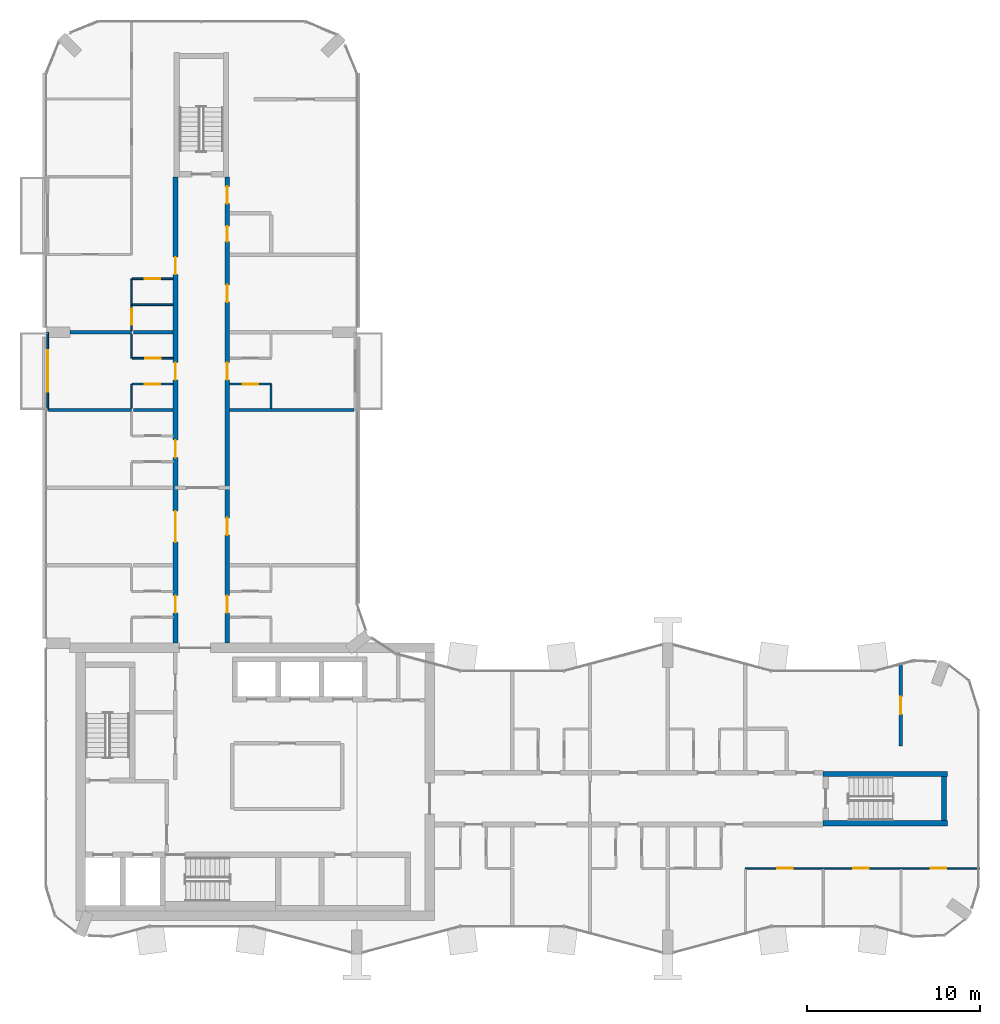
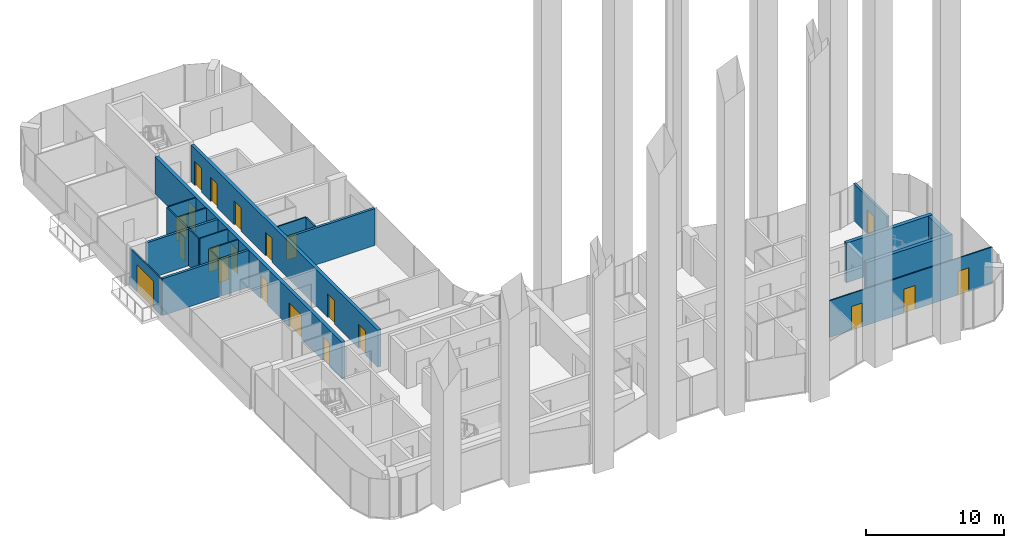
# One storey, part 12 of 17: 22 walls, 21 doors, 21 openings.
"""IFC4 building model written with IfcOpenShell, lengths in metres."""

from ifc_helpers import new_model, si_unit, direction, frame, frame_2d, origin, place, context, subcontext, project, spatial, rectangle, extrude, material, layer, layer_set, type_object, element, fill, save


model = new_model("IFC4")

# Units and contexts
model_context = context("Model", 3, precision=1e-05, world=origin(), true_north=direction((0.0, 1.0)))
body_context = subcontext(model_context, "Body", "Model", "MODEL_VIEW")
ifc_project = project(units=[si_unit("LENGTHUNIT", "METRE"), si_unit("AREAUNIT", "SQUARE_METRE"), si_unit("VOLUMEUNIT", "CUBIC_METRE"), si_unit("PLANEANGLEUNIT", "RADIAN"), si_unit("MASSUNIT", "GRAM", prefix="KILO")], contexts=[model_context])

# Site, building, storey
site_placement = place(None, origin())
site = spatial("IfcSite", under=ifc_project, at=site_placement, CompositionType="ELEMENT")
building_placement = place(site_placement, origin())
building = spatial("IfcBuilding", under=site, at=building_placement, Name="Plateau Cross Towers", CompositionType="ELEMENT")
storey_placement = place(building_placement, frame((0.0, 0.0, 190.89990234375)))
storey = spatial("IfcBuildingStorey", under=building, at=storey_placement, Name="L49", CompositionType="ELEMENT", Elevation=190.89990234375)

# Wall, opening, door
ifc_material_1 = material(Name="Aluminium framed glazing", Category="aluminium")
ifc_layer_1 = layer(ifc_material_1, 0.10009765625)
ifc_layer_set_1 = layer_set([ifc_layer_1], Name="Aluminium framed glazing")
wall_type_1 = type_object("IfcWallType", Name="Balcony screen wall 100", PredefinedType="STANDARD", material=ifc_layer_set_1)
wall_1_placement = place(storey_placement, frame((0.10009765625, 31.5, 0.0), z_axis=(0.0, 0.0, 1.0), x_axis=(0.0, 1.0, 0.0)))
wall_1 = element("IfcWall", 1, at=wall_1_placement, inside=storey, type_object=wall_type_1, Name="Balcony screen wall A-BAL-L49-01", PredefinedType="STANDARD", context=body_context, shape_type="SweptSolid", body=[
    extrude(rectangle(XDim=4.5, YDim=0.10009765625, at=frame_2d((2.25, 0.0))), origin(), (0.0, 0.0, 1.0), 3.25),
])
opening_1_placement = place(wall_1_placement, frame((1.050048828125, 0.0, 0.0)))
opening_1 = element("IfcOpeningElement", 2, at=opening_1_placement, cuts=wall_1, Name="Opening D-B24", PredefinedType="OPENING", context=body_context, shape_type="SweptSolid", body=[
    extrude(rectangle(XDim=2.39990234375, YDim=2.39990234375, at=frame_2d((1.199951171875, 1.199951171875))), frame((0.0, 0.06005859375, 0.0), z_axis=(0.0, -1.0, 0.0), x_axis=(1.0, 0.0, 0.0)), (0.0, 0.0, 1.0), 0.1201171875),
])
ifc_material_2 = material(Name="Aluminium frame, double glazing", Category="aluminium")
door_type_1 = type_object("IfcDoorType", Name="Balcony sliding door 2400", OperationType="NOTDEFINED", PredefinedType="DOOR", material=ifc_material_2)
door_1_placement = place(opening_1_placement, origin())
door_1 = element("IfcDoor", 3, at=door_1_placement, inside=storey, type_object=door_type_1, Name="Balcony door A-BAL-L49-01", OperationType="SINGLE_SWING_LEFT", OverallHeight=2.39990234375, OverallWidth=2.39990234375, PredefinedType="DOOR", context=body_context, shape_type="SweptSolid", body=[
    extrude(rectangle(XDim=2.39990234375, YDim=2.39990234375, at=frame_2d((1.199951171875, 1.199951171875))), frame((0.0, 0.02490234375, 0.0), z_axis=(0.0, -1.0, 0.0), x_axis=(1.0, 0.0, 0.0)), (0.0, 0.0, 1.0), 0.050048828125),
])
fill(opening_1, door_1)

# Wall, openings, doors
ifc_material_3 = material(Name="Concrete C60/75", Category="concrete")
ifc_layer_2 = layer(ifc_material_3, 0.27490234375)
ifc_layer_set_2 = layer_set([ifc_layer_2], Name="Concrete C60/75")
wall_type_2 = type_object("IfcWallType", Name="Corridor wall 275", PredefinedType="SHEAR", material=ifc_layer_set_2)
wall_2_placement = place(storey_placement, frame((7.5, 18.0, 0.0), z_axis=(0.0, 0.0, 1.0), x_axis=(0.0, 1.0, 0.0)))
wall_2 = element("IfcWall", 4, at=wall_2_placement, inside=storey, type_object=wall_type_2, Name="A-cw-W1@L49", PredefinedType="SHEAR", context=body_context, shape_type="SweptSolid", body=[
    extrude(rectangle(XDim=27.0, YDim=0.27490234375, at=frame_2d((13.5, 0.0))), origin(), (0.0, 0.0, 1.0), 3.25),
])
opening_2_placement = place(wall_2_placement, frame((1.75, 0.0, 0.0)))
opening_2 = element("IfcOpeningElement", 5, at=opening_2_placement, cuts=wall_2, Name="Opening 49-11", PredefinedType="OPENING", context=body_context, shape_type="SweptSolid", body=[
    extrude(rectangle(XDim=1.0, YDim=2.10009765625, at=frame_2d((0.5, 1.050048828125))), frame((0.0, 0.1474609375, 0.0), z_axis=(0.0, -1.0, 0.0), x_axis=(1.0, 0.0, 0.0)), (0.0, 0.0, 1.0), 0.294921875),
])
opening_3_placement = place(wall_2_placement, frame((5.85009765625, 0.0, 0.0)))
opening_3 = element("IfcOpeningElement", 6, at=opening_3_placement, cuts=wall_2, Name="Opening 49-12", PredefinedType="OPENING", context=body_context, shape_type="SweptSolid", body=[
    extrude(rectangle(XDim=1.800048828125, YDim=2.10009765625, at=frame_2d((0.89990234375, 1.050048828125))), frame((0.0, 0.1474609375, 0.0), z_axis=(0.0, -1.0, 0.0), x_axis=(1.0, 0.0, 0.0)), (0.0, 0.0, 1.0), 0.294921875),
])
opening_4_placement = place(wall_2_placement, frame((10.75, 0.0, 0.0)))
opening_4 = element("IfcOpeningElement", 7, at=opening_4_placement, cuts=wall_2, Name="Opening 49-13", PredefinedType="OPENING", context=body_context, shape_type="SweptSolid", body=[
    extrude(rectangle(XDim=1.0, YDim=2.10009765625, at=frame_2d((0.5, 1.050048828125))), frame((0.0, 0.1474609375, 0.0), z_axis=(0.0, -1.0, 0.0), x_axis=(1.0, 0.0, 0.0)), (0.0, 0.0, 1.0), 0.294921875),
])
opening_5_placement = place(wall_2_placement, frame((15.25, 0.0, 0.0)))
opening_5 = element("IfcOpeningElement", 8, at=opening_5_placement, cuts=wall_2, Name="Opening 49-14", PredefinedType="OPENING", context=body_context, shape_type="SweptSolid", body=[
    extrude(rectangle(XDim=1.0, YDim=2.10009765625, at=frame_2d((0.5, 1.050048828125))), frame((0.0, 0.1474609375, 0.0), z_axis=(0.0, -1.0, 0.0), x_axis=(1.0, 0.0, 0.0)), (0.0, 0.0, 1.0), 0.294921875),
])
opening_6_placement = place(wall_2_placement, frame((21.35009765625, 0.0, 0.0)))
opening_6 = element("IfcOpeningElement", 9, at=opening_6_placement, cuts=wall_2, Name="Opening 49-15", PredefinedType="OPENING", context=body_context, shape_type="SweptSolid", body=[
    extrude(rectangle(XDim=1.0, YDim=2.10009765625, at=frame_2d((0.5, 1.050048828125))), frame((0.0, 0.1474609375, 0.0), z_axis=(0.0, -1.0, 0.0), x_axis=(1.0, 0.0, 0.0)), (0.0, 0.0, 1.0), 0.294921875),
])
ifc_material_4 = material(Name="Timber, fire-resisting leaf", Category="wood")
door_type_2 = type_object("IfcDoorType", Name="Flat entrance door 1000", OperationType="NOTDEFINED", PredefinedType="DOOR", material=ifc_material_4)
door_2_placement = place(opening_2_placement, origin())
door_2 = element("IfcDoor", 10, at=door_2_placement, inside=storey, type_object=door_type_2, Name="Door 49-11", OperationType="SINGLE_SWING_LEFT", OverallHeight=2.10009765625, OverallWidth=1.0, PredefinedType="DOOR", context=body_context, shape_type="SweptSolid", body=[
    extrude(rectangle(XDim=1.0, YDim=2.10009765625, at=frame_2d((0.5, 1.050048828125))), frame((0.0, 0.02490234375, 0.0), z_axis=(0.0, -1.0, 0.0), x_axis=(1.0, 0.0, 0.0)), (0.0, 0.0, 1.0), 0.050048828125),
])
fill(opening_2, door_2)
door_3_placement = place(opening_4_placement, origin())
door_3 = element("IfcDoor", 11, at=door_3_placement, inside=storey, type_object=door_type_2, Name="Door 49-13", OperationType="SINGLE_SWING_LEFT", OverallHeight=2.10009765625, OverallWidth=1.0, PredefinedType="DOOR", context=body_context, shape_type="SweptSolid", body=[
    extrude(rectangle(XDim=1.0, YDim=2.10009765625, at=frame_2d((0.5, 1.050048828125))), frame((0.0, 0.02490234375, 0.0), z_axis=(0.0, -1.0, 0.0), x_axis=(1.0, 0.0, 0.0)), (0.0, 0.0, 1.0), 0.050048828125),
])
fill(opening_4, door_3)
door_4_placement = place(opening_5_placement, origin())
door_4 = element("IfcDoor", 12, at=door_4_placement, inside=storey, type_object=door_type_2, Name="Door 49-14", OperationType="SINGLE_SWING_RIGHT", OverallHeight=2.10009765625, OverallWidth=1.0, PredefinedType="DOOR", context=body_context, shape_type="SweptSolid", body=[
    extrude(rectangle(XDim=1.0, YDim=2.10009765625, at=frame_2d((0.5, 1.050048828125))), frame((0.0, 0.02490234375, 0.0), z_axis=(0.0, -1.0, 0.0), x_axis=(1.0, 0.0, 0.0)), (0.0, 0.0, 1.0), 0.050048828125),
])
fill(opening_5, door_4)
door_5_placement = place(opening_6_placement, origin())
door_5 = element("IfcDoor", 13, at=door_5_placement, inside=storey, type_object=door_type_2, Name="Door 49-15", OperationType="SINGLE_SWING_RIGHT", OverallHeight=2.10009765625, OverallWidth=1.0, PredefinedType="DOOR", context=body_context, shape_type="SweptSolid", body=[
    extrude(rectangle(XDim=1.0, YDim=2.10009765625, at=frame_2d((0.5, 1.050048828125))), frame((0.0, 0.02490234375, 0.0), z_axis=(0.0, -1.0, 0.0), x_axis=(1.0, 0.0, 0.0)), (0.0, 0.0, 1.0), 0.050048828125),
])
fill(opening_6, door_5)
ifc_material_5 = material(Name="Timber, fire-resisting leaves", Category="wood")
door_type_3 = type_object("IfcDoorType", Name="Flat floor fire door pair 1800", OperationType="NOTDEFINED", PredefinedType="DOOR", material=ifc_material_5)
door_6_placement = place(opening_3_placement, origin())
door_6 = element("IfcDoor", 14, at=door_6_placement, inside=storey, type_object=door_type_3, Name="Door 49-12", OperationType="SINGLE_SWING_LEFT", OverallHeight=2.10009765625, OverallWidth=1.800048828125, PredefinedType="DOOR", context=body_context, shape_type="SweptSolid", body=[
    extrude(rectangle(XDim=1.800048828125, YDim=2.10009765625, at=frame_2d((0.89990234375, 1.050048828125))), frame((0.0, 0.02490234375, 0.0), z_axis=(0.0, -1.0, 0.0), x_axis=(1.0, 0.0, 0.0)), (0.0, 0.0, 1.0), 0.050048828125),
])
fill(opening_3, door_6)

wall_3_placement = place(storey_placement, frame((10.5, 18.0, 0.0), z_axis=(0.0, 0.0, 1.0), x_axis=(0.0, 1.0, 0.0)))
wall_3 = element("IfcWall", 15, at=wall_3_placement, inside=storey, type_object=wall_type_2, Name="A-cw-W2@L49", PredefinedType="SHEAR", context=body_context, shape_type="SweptSolid", body=[
    extrude(rectangle(XDim=27.0, YDim=0.27490234375, at=frame_2d((13.5, 0.0))), origin(), (0.0, 0.0, 1.0), 3.25),
])
opening_7_placement = place(wall_3_placement, frame((1.75, 0.0, 0.0)))
opening_7 = element("IfcOpeningElement", 16, at=opening_7_placement, cuts=wall_3, Name="Opening 49-16", PredefinedType="OPENING", context=body_context, shape_type="SweptSolid", body=[
    extrude(rectangle(XDim=1.0, YDim=2.10009765625, at=frame_2d((0.5, 1.050048828125))), frame((0.0, 0.1474609375, 0.0), z_axis=(0.0, -1.0, 0.0), x_axis=(1.0, 0.0, 0.0)), (0.0, 0.0, 1.0), 0.294921875),
])
opening_8_placement = place(wall_3_placement, frame((6.25, 0.0, 0.0)))
opening_8 = element("IfcOpeningElement", 17, at=opening_8_placement, cuts=wall_3, Name="Opening 49-17", PredefinedType="OPENING", context=body_context, shape_type="SweptSolid", body=[
    extrude(rectangle(XDim=1.0, YDim=2.10009765625, at=frame_2d((0.5, 1.050048828125))), frame((0.0, 0.1474609375, 0.0), z_axis=(0.0, -1.0, 0.0), x_axis=(1.0, 0.0, 0.0)), (0.0, 0.0, 1.0), 0.294921875),
])
opening_9_placement = place(wall_3_placement, frame((15.25, 0.0, 0.0)))
opening_9 = element("IfcOpeningElement", 18, at=opening_9_placement, cuts=wall_3, Name="Opening 49-18", PredefinedType="OPENING", context=body_context, shape_type="SweptSolid", body=[
    extrude(rectangle(XDim=1.0, YDim=2.10009765625, at=frame_2d((0.5, 1.050048828125))), frame((0.0, 0.1474609375, 0.0), z_axis=(0.0, -1.0, 0.0), x_axis=(1.0, 0.0, 0.0)), (0.0, 0.0, 1.0), 0.294921875),
])
opening_10_placement = place(wall_3_placement, frame((19.75, 0.0, 0.0)))
opening_10 = element("IfcOpeningElement", 19, at=opening_10_placement, cuts=wall_3, Name="Opening 49-19", PredefinedType="OPENING", context=body_context, shape_type="SweptSolid", body=[
    extrude(rectangle(XDim=1.0, YDim=2.10009765625, at=frame_2d((0.5, 1.050048828125))), frame((0.0, 0.1474609375, 0.0), z_axis=(0.0, -1.0, 0.0), x_axis=(1.0, 0.0, 0.0)), (0.0, 0.0, 1.0), 0.294921875),
])
opening_11_placement = place(wall_3_placement, frame((23.25, 0.0, 0.0)))
opening_11 = element("IfcOpeningElement", 20, at=opening_11_placement, cuts=wall_3, Name="Opening 49-20", PredefinedType="OPENING", context=body_context, shape_type="SweptSolid", body=[
    extrude(rectangle(XDim=0.89990234375, YDim=2.10009765625, at=frame_2d((0.449951171875, 1.050048828125))), frame((0.0, 0.1474609375, 0.0), z_axis=(0.0, -1.0, 0.0), x_axis=(1.0, 0.0, 0.0)), (0.0, 0.0, 1.0), 0.294921875),
])
opening_12_placement = place(wall_3_placement, frame((25.449951171875, 0.0, 0.0)))
opening_12 = element("IfcOpeningElement", 21, at=opening_12_placement, cuts=wall_3, Name="Opening 49-21", PredefinedType="OPENING", context=body_context, shape_type="SweptSolid", body=[
    extrude(rectangle(XDim=1.0, YDim=2.10009765625, at=frame_2d((0.5, 1.050048828125))), frame((0.0, 0.1474609375, 0.0), z_axis=(0.0, -1.0, 0.0), x_axis=(1.0, 0.0, 0.0)), (0.0, 0.0, 1.0), 0.294921875),
])
door_7_placement = place(opening_7_placement, origin())
door_7 = element("IfcDoor", 22, at=door_7_placement, inside=storey, type_object=door_type_2, Name="Door 49-16", OperationType="SINGLE_SWING_LEFT", OverallHeight=2.10009765625, OverallWidth=1.0, PredefinedType="DOOR", context=body_context, shape_type="SweptSolid", body=[
    extrude(rectangle(XDim=1.0, YDim=2.10009765625, at=frame_2d((0.5, 1.050048828125))), frame((0.0, 0.02490234375, 0.0), z_axis=(0.0, -1.0, 0.0), x_axis=(1.0, 0.0, 0.0)), (0.0, 0.0, 1.0), 0.050048828125),
])
fill(opening_7, door_7)
door_8_placement = place(opening_8_placement, origin())
door_8 = element("IfcDoor", 23, at=door_8_placement, inside=storey, type_object=door_type_2, Name="Door 49-17", OperationType="SINGLE_SWING_LEFT", OverallHeight=2.10009765625, OverallWidth=1.0, PredefinedType="DOOR", context=body_context, shape_type="SweptSolid", body=[
    extrude(rectangle(XDim=1.0, YDim=2.10009765625, at=frame_2d((0.5, 1.050048828125))), frame((0.0, 0.02490234375, 0.0), z_axis=(0.0, -1.0, 0.0), x_axis=(1.0, 0.0, 0.0)), (0.0, 0.0, 1.0), 0.050048828125),
])
fill(opening_8, door_8)
door_9_placement = place(opening_9_placement, origin())
door_9 = element("IfcDoor", 24, at=door_9_placement, inside=storey, type_object=door_type_2, Name="Door 49-18", OperationType="SINGLE_SWING_RIGHT", OverallHeight=2.10009765625, OverallWidth=1.0, PredefinedType="DOOR", context=body_context, shape_type="SweptSolid", body=[
    extrude(rectangle(XDim=1.0, YDim=2.10009765625, at=frame_2d((0.5, 1.050048828125))), frame((0.0, 0.02490234375, 0.0), z_axis=(0.0, -1.0, 0.0), x_axis=(1.0, 0.0, 0.0)), (0.0, 0.0, 1.0), 0.050048828125),
])
fill(opening_9, door_9)
door_10_placement = place(opening_10_placement, origin())
door_10 = element("IfcDoor", 25, at=door_10_placement, inside=storey, type_object=door_type_2, Name="Door 49-19", OperationType="SINGLE_SWING_RIGHT", OverallHeight=2.10009765625, OverallWidth=1.0, PredefinedType="DOOR", context=body_context, shape_type="SweptSolid", body=[
    extrude(rectangle(XDim=1.0, YDim=2.10009765625, at=frame_2d((0.5, 1.050048828125))), frame((0.0, 0.02490234375, 0.0), z_axis=(0.0, -1.0, 0.0), x_axis=(1.0, 0.0, 0.0)), (0.0, 0.0, 1.0), 0.050048828125),
])
fill(opening_10, door_10)
door_11_placement = place(opening_12_placement, origin())
door_11 = element("IfcDoor", 26, at=door_11_placement, inside=storey, type_object=door_type_2, Name="Door 49-21", OperationType="SINGLE_SWING_RIGHT", OverallHeight=2.10009765625, OverallWidth=1.0, PredefinedType="DOOR", context=body_context, shape_type="SweptSolid", body=[
    extrude(rectangle(XDim=1.0, YDim=2.10009765625, at=frame_2d((0.5, 1.050048828125))), frame((0.0, 0.02490234375, 0.0), z_axis=(0.0, -1.0, 0.0), x_axis=(1.0, 0.0, 0.0)), (0.0, 0.0, 1.0), 0.050048828125),
])
fill(opening_12, door_11)
door_type_4 = type_object("IfcDoorType", Name="Flat floor service door 900", OperationType="NOTDEFINED", PredefinedType="DOOR", material=ifc_material_4)
door_12_placement = place(opening_11_placement, origin())
door_12 = element("IfcDoor", 27, at=door_12_placement, inside=storey, type_object=door_type_4, Name="Door 49-20", OperationType="SINGLE_SWING_RIGHT", OverallHeight=2.10009765625, OverallWidth=0.89990234375, PredefinedType="DOOR", context=body_context, shape_type="SweptSolid", body=[
    extrude(rectangle(XDim=0.89990234375, YDim=2.10009765625, at=frame_2d((0.449951171875, 1.050048828125))), frame((0.0, 0.02490234375, 0.0), z_axis=(0.0, -1.0, 0.0), x_axis=(1.0, 0.0, 0.0)), (0.0, 0.0, 1.0), 0.050048828125),
])
fill(opening_11, door_12)

ifc_material_6 = material(Name="Gypsum board on steel studs", Category="steel")
ifc_layer_3 = layer(ifc_material_6, 0.10009765625)
ifc_layer_set_3 = layer_set([ifc_layer_3], Name="Gypsum board on steel studs")
wall_type_3 = type_object("IfcWallType", Name="Flat partition 100", PredefinedType="PARTITIONING", material=ifc_layer_set_3)
wall_4_placement = place(storey_placement, frame((54.080078125, 4.96240234375, 0.0), z_axis=(0.0, 0.0, 1.0), x_axis=(-1.0, 0.0, 0.0)))
wall_4 = element("IfcWall", 28, at=wall_4_placement, inside=storey, type_object=wall_type_3, Name="Partition wall", PredefinedType="PARTITIONING", context=body_context, shape_type="SweptSolid", body=[
    extrude(rectangle(XDim=13.580078125, YDim=0.10009765625, at=frame_2d((6.7900390625, 0.0))), origin(), (0.0, 0.0, 1.0), 3.25),
])
opening_13_placement = place(wall_4_placement, frame((10.85009765625, 0.0, 0.0)))
opening_13 = element("IfcOpeningElement", 29, at=opening_13_placement, cuts=wall_4, Name="Opening 49-32", PredefinedType="OPENING", context=body_context, shape_type="SweptSolid", body=[
    extrude(rectangle(XDim=0.89990234375, YDim=2.10009765625, at=frame_2d((0.449951171875, 1.050048828125))), frame((0.0, 0.06005859375, 0.0), z_axis=(0.0, -1.0, 0.0), x_axis=(1.0, 0.0, 0.0)), (0.0, 0.0, 1.0), 0.1201171875),
])
opening_14_placement = place(wall_4_placement, frame((6.449951171875, 0.0, 0.0)))
opening_14 = element("IfcOpeningElement", 30, at=opening_14_placement, cuts=wall_4, Name="Opening 49-33", PredefinedType="OPENING", context=body_context, shape_type="SweptSolid", body=[
    extrude(rectangle(XDim=0.89990234375, YDim=2.10009765625, at=frame_2d((0.449951171875, 1.050048828125))), frame((0.0, 0.06005859375, 0.0), z_axis=(0.0, -1.0, 0.0), x_axis=(1.0, 0.0, 0.0)), (0.0, 0.0, 1.0), 0.1201171875),
])
opening_15_placement = place(wall_4_placement, frame((1.949951171875, 0.0, 0.0)))
opening_15 = element("IfcOpeningElement", 31, at=opening_15_placement, cuts=wall_4, Name="Opening 49-34", PredefinedType="OPENING", context=body_context, shape_type="SweptSolid", body=[
    extrude(rectangle(XDim=0.89990234375, YDim=2.10009765625, at=frame_2d((0.449951171875, 1.050048828125))), frame((0.0, 0.06005859375, 0.0), z_axis=(0.0, -1.0, 0.0), x_axis=(1.0, 0.0, 0.0)), (0.0, 0.0, 1.0), 0.1201171875),
])
ifc_material_7 = material(Name="Timber leaf", Category="wood")
door_type_5 = type_object("IfcDoorType", Name="Flat room door 900", OperationType="NOTDEFINED", PredefinedType="DOOR", material=ifc_material_7)
door_13_placement = place(opening_13_placement, origin())
door_13 = element("IfcDoor", 32, at=door_13_placement, inside=storey, type_object=door_type_5, Name="Door 49-32", OperationType="SINGLE_SWING_RIGHT", OverallHeight=2.10009765625, OverallWidth=0.89990234375, PredefinedType="DOOR", context=body_context, shape_type="SweptSolid", body=[
    extrude(rectangle(XDim=0.89990234375, YDim=2.10009765625, at=frame_2d((0.449951171875, 1.050048828125))), frame((0.0, 0.02490234375, 0.0), z_axis=(0.0, -1.0, 0.0), x_axis=(1.0, 0.0, 0.0)), (0.0, 0.0, 1.0), 0.050048828125),
])
fill(opening_13, door_13)
door_14_placement = place(opening_14_placement, origin())
door_14 = element("IfcDoor", 33, at=door_14_placement, inside=storey, type_object=door_type_5, Name="Door 49-33", OperationType="SINGLE_SWING_RIGHT", OverallHeight=2.10009765625, OverallWidth=0.89990234375, PredefinedType="DOOR", context=body_context, shape_type="SweptSolid", body=[
    extrude(rectangle(XDim=0.89990234375, YDim=2.10009765625, at=frame_2d((0.449951171875, 1.050048828125))), frame((0.0, 0.02490234375, 0.0), z_axis=(0.0, -1.0, 0.0), x_axis=(1.0, 0.0, 0.0)), (0.0, 0.0, 1.0), 0.050048828125),
])
fill(opening_14, door_14)
door_15_placement = place(opening_15_placement, origin())
door_15 = element("IfcDoor", 34, at=door_15_placement, inside=storey, type_object=door_type_5, Name="Door 49-34", OperationType="SINGLE_SWING_LEFT", OverallHeight=2.10009765625, OverallWidth=0.89990234375, PredefinedType="DOOR", context=body_context, shape_type="SweptSolid", body=[
    extrude(rectangle(XDim=0.89990234375, YDim=2.10009765625, at=frame_2d((0.449951171875, 1.050048828125))), frame((0.0, 0.02490234375, 0.0), z_axis=(0.0, -1.0, 0.0), x_axis=(1.0, 0.0, 0.0)), (0.0, 0.0, 1.0), 0.050048828125),
])
fill(opening_15, door_15)

# Wall, opening, door
wall_5_placement = place(storey_placement, frame((7.362548828125, 33.0, 0.0), z_axis=(0.0, 0.0, 1.0), x_axis=(-1.0, 0.0, 0.0)))
wall_5 = element("IfcWall", 35, at=wall_5_placement, inside=storey, type_object=wall_type_3, Name="Partition wall", PredefinedType="PARTITIONING", context=body_context, shape_type="SweptSolid", body=[
    extrude(rectangle(XDim=2.35009765625, YDim=0.10009765625, at=frame_2d((1.175048828125, 0.0))), origin(), (0.0, 0.0, 1.0), 3.25),
])
opening_16_placement = place(wall_5_placement, frame((0.75, 0.0, 0.0)))
opening_16 = element("IfcOpeningElement", 36, at=opening_16_placement, cuts=wall_5, Name="Opening 49-43", PredefinedType="OPENING", context=body_context, shape_type="SweptSolid", body=[
    extrude(rectangle(XDim=0.89990234375, YDim=2.10009765625, at=frame_2d((0.449951171875, 1.050048828125))), frame((0.0, 0.06005859375, 0.0), z_axis=(0.0, -1.0, 0.0), x_axis=(1.0, 0.0, 0.0)), (0.0, 0.0, 1.0), 0.1201171875),
])
door_16_placement = place(opening_16_placement, origin())
door_16 = element("IfcDoor", 37, at=door_16_placement, inside=storey, type_object=door_type_5, Name="Door 49-43", OperationType="SINGLE_SWING_RIGHT", OverallHeight=2.10009765625, OverallWidth=0.89990234375, PredefinedType="DOOR", context=body_context, shape_type="SweptSolid", body=[
    extrude(rectangle(XDim=0.89990234375, YDim=2.10009765625, at=frame_2d((0.449951171875, 1.050048828125))), frame((0.0, 0.02490234375, 0.0), z_axis=(0.0, -1.0, 0.0), x_axis=(1.0, 0.0, 0.0)), (0.0, 0.0, 1.0), 0.050048828125),
])
fill(opening_16, door_16)

wall_6_placement = place(storey_placement, frame((13.03759765625, 33.0, 0.0), z_axis=(0.0, 0.0, 1.0), x_axis=(-1.0, 0.0, 0.0)))
wall_6 = element("IfcWall", 38, at=wall_6_placement, inside=storey, type_object=wall_type_3, Name="Partition wall", PredefinedType="PARTITIONING", context=body_context, shape_type="SweptSolid", body=[
    extrude(rectangle(XDim=2.400146484375, YDim=0.10009765625, at=frame_2d((1.2001953125, 0.0))), origin(), (0.0, 0.0, 1.0), 3.25),
])
opening_17_placement = place(wall_6_placement, frame((0.75, 0.0, 0.0)))
opening_17 = element("IfcOpeningElement", 39, at=opening_17_placement, cuts=wall_6, Name="Opening 49-52", PredefinedType="OPENING", context=body_context, shape_type="SweptSolid", body=[
    extrude(rectangle(XDim=0.89990234375, YDim=2.10009765625, at=frame_2d((0.449951171875, 1.050048828125))), frame((0.0, 0.06005859375, 0.0), z_axis=(0.0, -1.0, 0.0), x_axis=(1.0, 0.0, 0.0)), (0.0, 0.0, 1.0), 0.1201171875),
])
door_17_placement = place(opening_17_placement, origin())
door_17 = element("IfcDoor", 40, at=door_17_placement, inside=storey, type_object=door_type_5, Name="Door 49-52", OperationType="SINGLE_SWING_LEFT", OverallHeight=2.10009765625, OverallWidth=0.89990234375, PredefinedType="DOOR", context=body_context, shape_type="SweptSolid", body=[
    extrude(rectangle(XDim=0.89990234375, YDim=2.10009765625, at=frame_2d((0.449951171875, 1.050048828125))), frame((0.0, 0.02490234375, 0.0), z_axis=(0.0, -1.0, 0.0), x_axis=(1.0, 0.0, 0.0)), (0.0, 0.0, 1.0), 0.050048828125),
])
fill(opening_17, door_17)

wall_7_placement = place(storey_placement, frame((5.012451171875, 34.5, 0.0), z_axis=(0.0, 0.0, 1.0), x_axis=(1.0, 0.0, 0.0)))
wall_7 = element("IfcWall", 41, at=wall_7_placement, inside=storey, type_object=wall_type_3, Name="Partition wall", PredefinedType="PARTITIONING", context=body_context, shape_type="SweptSolid", body=[
    extrude(rectangle(XDim=2.35009765625, YDim=0.10009765625, at=frame_2d((1.175048828125, 0.0))), origin(), (0.0, 0.0, 1.0), 3.25),
])
opening_18_placement = place(wall_7_placement, frame((0.75, 0.0, 0.0)))
opening_18 = element("IfcOpeningElement", 42, at=opening_18_placement, cuts=wall_7, Name="Opening 49-44", PredefinedType="OPENING", context=body_context, shape_type="SweptSolid", body=[
    extrude(rectangle(XDim=0.89990234375, YDim=2.10009765625, at=frame_2d((0.449951171875, 1.050048828125))), frame((0.0, 0.06005859375, 0.0), z_axis=(0.0, -1.0, 0.0), x_axis=(1.0, 0.0, 0.0)), (0.0, 0.0, 1.0), 0.1201171875),
])
door_18_placement = place(opening_18_placement, origin())
door_18 = element("IfcDoor", 43, at=door_18_placement, inside=storey, type_object=door_type_5, Name="Door 49-44", OperationType="SINGLE_SWING_RIGHT", OverallHeight=2.10009765625, OverallWidth=0.89990234375, PredefinedType="DOOR", context=body_context, shape_type="SweptSolid", body=[
    extrude(rectangle(XDim=0.89990234375, YDim=2.10009765625, at=frame_2d((0.449951171875, 1.050048828125))), frame((0.0, 0.02490234375, 0.0), z_axis=(0.0, -1.0, 0.0), x_axis=(1.0, 0.0, 0.0)), (0.0, 0.0, 1.0), 0.050048828125),
])
fill(opening_18, door_18)

# Wall
wall_8_placement = place(storey_placement, frame((7.362548828125, 37.60009765625, 0.0), z_axis=(0.0, 0.0, 1.0), x_axis=(-1.0, 0.0, 0.0)))
element("IfcWall", 44, at=wall_8_placement, inside=storey, type_object=wall_type_3, Name="Partition wall", PredefinedType="PARTITIONING", context=body_context, shape_type="SweptSolid", body=[
    extrude(rectangle(XDim=2.35009765625, YDim=0.10009765625, at=frame_2d((1.175048828125, 0.0))), origin(), (0.0, 0.0, 1.0), 3.25),
])

# Wall, opening, door
wall_9_placement = place(storey_placement, frame((7.362548828125, 39.10009765625, 0.0), z_axis=(0.0, 0.0, 1.0), x_axis=(-1.0, 0.0, 0.0)))
wall_9 = element("IfcWall", 45, at=wall_9_placement, inside=storey, type_object=wall_type_3, Name="Partition wall", PredefinedType="PARTITIONING", context=body_context, shape_type="SweptSolid", body=[
    extrude(rectangle(XDim=2.35009765625, YDim=0.10009765625, at=frame_2d((1.175048828125, 0.0))), origin(), (0.0, 0.0, 1.0), 3.25),
])
opening_19_placement = place(wall_9_placement, frame((0.75, 0.0, 0.0)))
opening_19 = element("IfcOpeningElement", 46, at=opening_19_placement, cuts=wall_9, Name="Opening 49-46", PredefinedType="OPENING", context=body_context, shape_type="SweptSolid", body=[
    extrude(rectangle(XDim=0.89990234375, YDim=2.10009765625, at=frame_2d((0.449951171875, 1.050048828125))), frame((0.0, 0.06005859375, 0.0), z_axis=(0.0, -1.0, 0.0), x_axis=(1.0, 0.0, 0.0)), (0.0, 0.0, 1.0), 0.1201171875),
])
door_19_placement = place(opening_19_placement, origin())
door_19 = element("IfcDoor", 47, at=door_19_placement, inside=storey, type_object=door_type_5, Name="Door 49-46", OperationType="SINGLE_SWING_RIGHT", OverallHeight=2.10009765625, OverallWidth=0.89990234375, PredefinedType="DOOR", context=body_context, shape_type="SweptSolid", body=[
    extrude(rectangle(XDim=0.89990234375, YDim=2.10009765625, at=frame_2d((0.449951171875, 1.050048828125))), frame((0.0, 0.02490234375, 0.0), z_axis=(0.0, -1.0, 0.0), x_axis=(1.0, 0.0, 0.0)), (0.0, 0.0, 1.0), 0.050048828125),
])
fill(opening_19, door_19)

# Walls
for number, where, z_axis, x_axis, name in (
    (48, (4.96240234375, 33.0, 0.0), (0.0, 0.0, 1.0), (0.0, -1.0, 0.0), "Partition wall"),
    (49, (4.96240234375, 35.89990234375, 0.0), (0.0, 0.0, 1.0), (0.0, -1.0, 0.0), "Partition wall"),
):
    element("IfcWall", number, at=place(storey_placement, frame(where, z_axis=z_axis, x_axis=x_axis)), inside=storey, type_object=wall_type_3, Name=name, PredefinedType="PARTITIONING", context=body_context, shape_type="SweptSolid", body=[
        extrude(rectangle(XDim=1.39990234375, YDim=0.10009765625, at=frame_2d((0.699951171875, 0.0))), origin(), (0.0, 0.0, 1.0), 3.25),
    ])

# Wall, opening, door
wall_10_placement = place(storey_placement, frame((4.96240234375, 39.10009765625, 0.0), z_axis=(0.0, 0.0, 1.0), x_axis=(0.0, -1.0, 0.0)))
wall_10 = element("IfcWall", 50, at=wall_10_placement, inside=storey, type_object=wall_type_3, Name="Partition wall", PredefinedType="PARTITIONING", context=body_context, shape_type="SweptSolid", body=[
    extrude(rectangle(XDim=3.0, YDim=0.10009765625, at=frame_2d((1.5, 0.0))), origin(), (0.0, 0.0, 1.0), 3.25),
])
opening_20_placement = place(wall_10_placement, frame((1.75, 0.0, 0.0)))
opening_20 = element("IfcOpeningElement", 51, at=opening_20_placement, cuts=wall_10, Name="Opening 49-45", PredefinedType="OPENING", context=body_context, shape_type="SweptSolid", body=[
    extrude(rectangle(XDim=0.89990234375, YDim=2.10009765625, at=frame_2d((0.449951171875, 1.050048828125))), frame((0.0, 0.06005859375, 0.0), z_axis=(0.0, -1.0, 0.0), x_axis=(1.0, 0.0, 0.0)), (0.0, 0.0, 1.0), 0.1201171875),
])
door_20_placement = place(opening_20_placement, origin())
door_20 = element("IfcDoor", 52, at=door_20_placement, inside=storey, type_object=door_type_5, Name="Door 49-45", OperationType="SINGLE_SWING_RIGHT", OverallHeight=2.10009765625, OverallWidth=0.89990234375, PredefinedType="DOOR", context=body_context, shape_type="SweptSolid", body=[
    extrude(rectangle(XDim=0.89990234375, YDim=2.10009765625, at=frame_2d((0.449951171875, 1.050048828125))), frame((0.0, 0.02490234375, 0.0), z_axis=(0.0, -1.0, 0.0), x_axis=(1.0, 0.0, 0.0)), (0.0, 0.0, 1.0), 0.050048828125),
])
fill(opening_20, door_20)

# Walls
wall_11_placement = place(storey_placement, frame((13.03759765625, 31.60009765625, 0.0), z_axis=(0.0, 0.0, 1.0), x_axis=(0.0, 1.0, 0.0)))
element("IfcWall", 53, at=wall_11_placement, inside=storey, type_object=wall_type_3, Name="Partition wall", PredefinedType="PARTITIONING", context=body_context, shape_type="SweptSolid", body=[
    extrude(rectangle(XDim=1.349853515625, YDim=0.10009765625, at=frame_2d((0.6748046875, 0.0))), origin(), (0.0, 0.0, 1.0), 3.25),
])
ifc_material_8 = material(Name="Gypsum board on steel studs, two layers each side", Category="steel")
ifc_layer_4 = layer(ifc_material_8, 0.199951171875)
ifc_layer_set_4 = layer_set([ifc_layer_4], Name="Gypsum board on steel studs, two layers each side")
wall_type_4 = type_object("IfcWallType", Name="Flat party wall 200", PredefinedType="PARTITIONING", material=ifc_layer_set_4)
wall_12_placement = place(storey_placement, frame((7.362548828125, 31.5, 0.0), z_axis=(0.0, 0.0, 1.0), x_axis=(-1.0, 0.0, 0.0)))
element("IfcWall", 54, at=wall_12_placement, inside=storey, type_object=wall_type_4, Name="Party wall", PredefinedType="PARTITIONING", context=body_context, shape_type="SweptSolid", body=[
    extrude(rectangle(XDim=2.300048828125, YDim=0.199951171875, at=frame_2d((1.14990234375, 0.0))), origin(), (0.0, 0.0, 1.0), 3.25),
])
wall_13_placement = place(storey_placement, frame((17.85009765625, 31.5, 0.0), z_axis=(0.0, 0.0, 1.0), x_axis=(-1.0, 0.0, 0.0)))
element("IfcWall", 55, at=wall_13_placement, inside=storey, type_object=wall_type_4, Name="Party wall", PredefinedType="PARTITIONING", context=body_context, shape_type="SweptSolid", body=[
    extrude(rectangle(XDim=7.212646484375, YDim=0.199951171875, at=frame_2d((3.6064453125, 0.0))), origin(), (0.0, 0.0, 1.0), 3.25),
])
wall_14_placement = place(storey_placement, frame((0.14990234375, 31.5, 0.0), z_axis=(0.0, 0.0, 1.0), x_axis=(1.0, 0.0, 0.0)))
element("IfcWall", 56, at=wall_14_placement, inside=storey, type_object=wall_type_4, Name="Party wall", PredefinedType="PARTITIONING", context=body_context, shape_type="SweptSolid", body=[
    extrude(rectangle(XDim=4.8125, YDim=0.199951171875, at=frame_2d((2.40625, 0.0))), origin(), (0.0, 0.0, 1.0), 3.25),
])
wall_15_placement = place(storey_placement, frame((7.362548828125, 36.0, 0.0), z_axis=(0.0, 0.0, 1.0), x_axis=(-1.0, 0.0, 0.0)))
element("IfcWall", 57, at=wall_15_placement, inside=storey, type_object=wall_type_4, Name="Party wall", PredefinedType="PARTITIONING", context=body_context, shape_type="SweptSolid", body=[
    extrude(rectangle(XDim=2.300048828125, YDim=0.199951171875, at=frame_2d((1.14990234375, 0.0))), origin(), (0.0, 0.0, 1.0), 3.25),
])
wall_16_placement = place(storey_placement, frame((1.39990234375, 36.0, 0.0), z_axis=(0.0, 0.0, 1.0), x_axis=(1.0, 0.0, 0.0)))
element("IfcWall", 58, at=wall_16_placement, inside=storey, type_object=wall_type_4, Name="Party wall", PredefinedType="PARTITIONING", context=body_context, shape_type="SweptSolid", body=[
    extrude(rectangle(XDim=3.5625, YDim=0.199951171875, at=frame_2d((1.78125, 0.0))), origin(), (0.0, 0.0, 1.0), 3.25),
])

# Wall, opening, door
wall_17_placement = place(storey_placement, frame((49.5, 12.050048828125, 0.0), z_axis=(0.0, 0.0, 1.0), x_axis=(0.0, 1.0, 0.0)))
wall_17 = element("IfcWall", 59, at=wall_17_placement, inside=storey, type_object=wall_type_4, Name="Party wall", PredefinedType="PARTITIONING", context=body_context, shape_type="SweptSolid", body=[
    extrude(rectangle(XDim=4.82763671875, YDim=0.199951171875, at=frame_2d((2.413818359375, 0.0))), origin(), (0.0, 0.0, 1.0), 3.25),
])
opening_21_placement = place(wall_17_placement, frame((1.85009765625, 0.0, 0.0)))
opening_21 = element("IfcOpeningElement", 60, at=opening_21_placement, cuts=wall_17, Name="Opening 49-24", PredefinedType="OPENING", context=body_context, shape_type="SweptSolid", body=[
    extrude(rectangle(XDim=1.0, YDim=2.10009765625, at=frame_2d((0.5, 1.050048828125))), frame((0.0, 0.10986328125, 0.0), z_axis=(0.0, -1.0, 0.0), x_axis=(1.0, 0.0, 0.0)), (0.0, 0.0, 1.0), 0.219970703125),
])
door_21_placement = place(opening_21_placement, origin())
door_21 = element("IfcDoor", 61, at=door_21_placement, inside=storey, type_object=door_type_2, Name="Door 49-24", OperationType="SINGLE_SWING_LEFT", OverallHeight=2.10009765625, OverallWidth=1.0, PredefinedType="DOOR", context=body_context, shape_type="SweptSolid", body=[
    extrude(rectangle(XDim=1.0, YDim=2.10009765625, at=frame_2d((0.5, 1.050048828125))), frame((0.0, 0.02490234375, 0.0), z_axis=(0.0, -1.0, 0.0), x_axis=(1.0, 0.0, 0.0)), (0.0, 0.0, 1.0), 0.050048828125),
])
fill(opening_21, door_21)

# Walls
ifc_layer_5 = layer(ifc_material_3, 0.300048828125)
ifc_layer_set_5 = layer_set([ifc_layer_5], Name="Concrete C60/75")
wall_type_5 = type_object("IfcWallType", Name="Stair tower wall 300", PredefinedType="SHEAR", material=ifc_layer_set_5)
wall_18_placement = place(storey_placement, frame((52.0, 7.72509765625, 0.0), z_axis=(0.0, 0.0, 1.0), x_axis=(0.0, 1.0, 0.0)))
element("IfcWall", 62, at=wall_18_placement, inside=storey, type_object=wall_type_5, Name="A-end-E-E@L49", PredefinedType="SHEAR", context=body_context, shape_type="SweptSolid", body=[
    extrude(rectangle(XDim=2.5498046875, YDim=0.300048828125, at=frame_2d((1.27490234375, 0.0))), origin(), (0.0, 0.0, 1.0), 3.5),
])
for number, where, z_axis, x_axis, name in (
    (63, (45.0, 7.574951171875, 0.0), (0.0, 0.0, 1.0), (1.0, 0.0, 0.0), "A-end-E-S@L49"),
    (64, (45.0, 10.425048828125, 0.0), (0.0, 0.0, 1.0), (1.0, 0.0, 0.0), "A-end-E-N@L49"),
):
    element("IfcWall", number, at=place(storey_placement, frame(where, z_axis=z_axis, x_axis=x_axis)), inside=storey, type_object=wall_type_5, Name=name, PredefinedType="SHEAR", context=body_context, shape_type="SweptSolid", body=[
        extrude(rectangle(XDim=7.199951171875, YDim=0.300048828125, at=frame_2d((3.60009765625, 0.0))), origin(), (0.0, 0.0, 1.0), 3.5),
    ])

save(model, "model.ifc")
